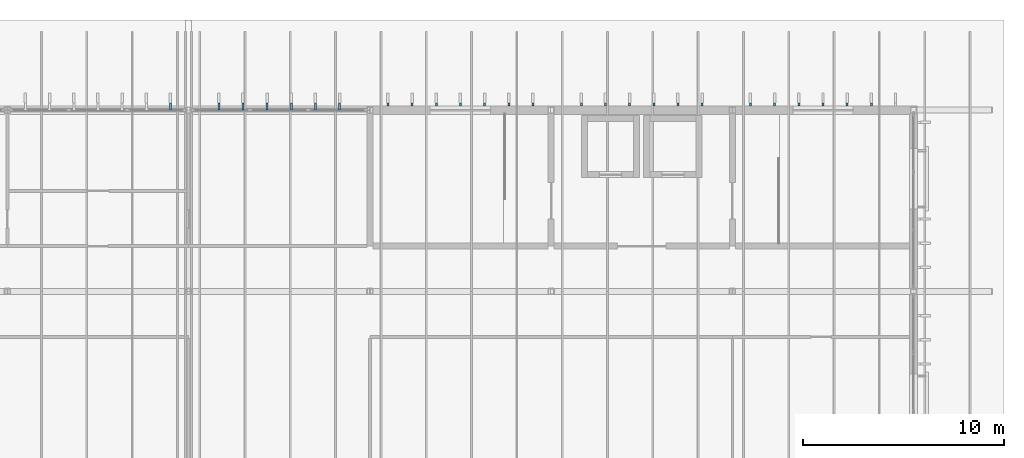
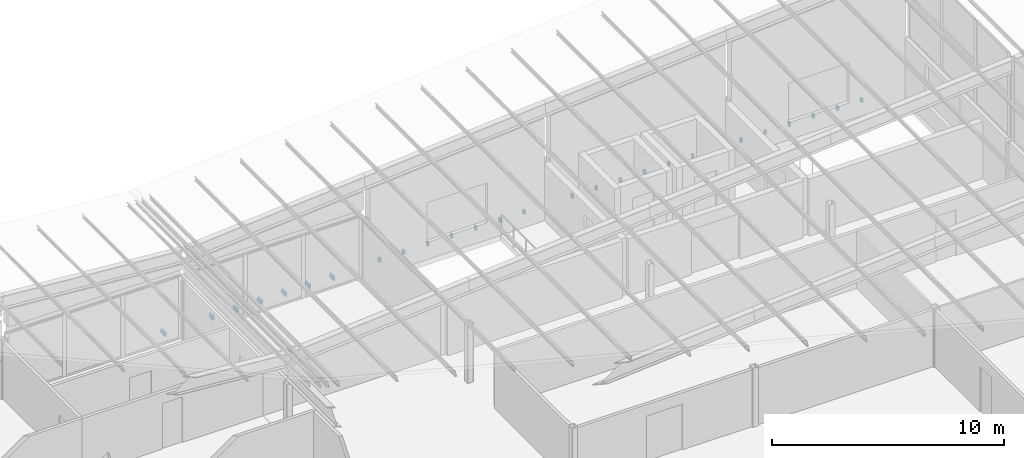
# One storey, part 80 of 85: 26 discrete accessories.
"""IFC4 building model written with IfcOpenShell, lengths in metres."""

from ifc_helpers import new_model, si_unit, direction, frame, origin, origin_2d, place, context, subcontext, project, spatial, rectangle, extrude, material, type_object, element, save


model = new_model("IFC4")

# Units and contexts
model_context = context("Model", 3, precision=1e-05, world=origin(), true_north=direction((0.0, 1.0)))
body_context = subcontext(model_context, "Body", "Model", "MODEL_VIEW")
ifc_project = project(units=[si_unit("LENGTHUNIT", "METRE"), si_unit("AREAUNIT", "SQUARE_METRE"), si_unit("VOLUMEUNIT", "CUBIC_METRE"), si_unit("PLANEANGLEUNIT", "RADIAN"), si_unit("MASSUNIT", "GRAM", prefix="KILO")], contexts=[model_context])

# Site, building, storey
site_placement = place(None, origin())
site = spatial("IfcSite", under=ifc_project, at=site_placement, CompositionType="ELEMENT")
building_placement = place(site_placement, origin())
building = spatial("IfcBuilding", under=site, at=building_placement, Name="Opaline Strait Convention Centre", CompositionType="ELEMENT")
storey_placement = place(building_placement, frame((0.0, 0.0, 17.0)))
storey = spatial("IfcBuildingStorey", under=building, at=storey_placement, Name="L03", CompositionType="ELEMENT", Elevation=17.0)

# Discrete accessories
ifc_material = material(Name="Stainless steel 304", Category="steel")
discrete_accessory_type = type_object("IfcDiscreteAccessoryType", Name="Fin bracket 150 stainless steel", PredefinedType="BRACKET", material=ifc_material)
for number, where, z_axis, x_axis, name in (
    (1, (323.10009765625, 180.181884765625, 0.35009765625), (0.0, 0.0, 1.0), (1.0, 0.0, 0.0), "Fin bracket"),
    (2, (325.5, 180.181884765625, 0.35009765625), (0.0, 0.0, 1.0), (1.0, 0.0, 0.0), "Fin bracket"),
    (3, (326.699951171875, 180.181884765625, 0.35009765625), (0.0, 0.0, 1.0), (1.0, 0.0, 0.0), "Fin bracket"),
    (4, (327.89990234375, 180.181884765625, 0.35009765625), (0.0, 0.0, 1.0), (1.0, 0.0, 0.0), "Fin bracket"),
    (5, (329.10009765625, 180.181884765625, 0.35009765625), (0.0, 0.0, 1.0), (1.0, 0.0, 0.0), "Fin bracket"),
    (6, (330.300048828125, 180.181884765625, 0.35009765625), (0.0, 0.0, 1.0), (1.0, 0.0, 0.0), "Fin bracket"),
    (7, (331.5, 180.181884765625, 0.35009765625), (0.0, 0.0, 1.0), (1.0, 0.0, 0.0), "Fin bracket"),
):
    element("IfcDiscreteAccessory", number, at=place(storey_placement, frame(where, z_axis=z_axis, x_axis=x_axis)), inside=storey, type_object=discrete_accessory_type, Name=name, PredefinedType="BRACKET", context=body_context, shape_type="SweptSolid", body=[
        extrude(rectangle(XDim=0.10009765625, YDim=0.3359375, at=origin_2d()), origin(), (0.0, 0.0, 1.0), 0.199951171875),
    ])
for number, where, z_axis, x_axis, name in (
    (8, (333.89990234375, 180.27490234375, 0.35009765625), (0.0, 0.0, 1.0), (1.0, 0.0, 0.0), "Fin bracket"),
    (9, (335.10009765625, 180.27490234375, 0.35009765625), (0.0, 0.0, 1.0), (1.0, 0.0, 0.0), "Fin bracket"),
    (10, (336.300048828125, 180.27490234375, 0.35009765625), (0.0, 0.0, 1.0), (1.0, 0.0, 0.0), "Fin bracket"),
    (11, (337.5, 180.27490234375, 0.35009765625), (0.0, 0.0, 1.0), (1.0, 0.0, 0.0), "Fin bracket"),
    (12, (338.699951171875, 180.27490234375, 0.35009765625), (0.0, 0.0, 1.0), (1.0, 0.0, 0.0), "Fin bracket"),
    (13, (339.89990234375, 180.27490234375, 0.35009765625), (0.0, 0.0, 1.0), (1.0, 0.0, 0.0), "Fin bracket"),
    (14, (341.10009765625, 180.27490234375, 0.35009765625), (0.0, 0.0, 1.0), (1.0, 0.0, 0.0), "Fin bracket"),
    (15, (343.5, 180.27490234375, 0.35009765625), (0.0, 0.0, 1.0), (1.0, 0.0, 0.0), "Fin bracket"),
    (16, (344.699951171875, 180.27490234375, 0.35009765625), (0.0, 0.0, 1.0), (1.0, 0.0, 0.0), "Fin bracket"),
    (17, (345.89990234375, 180.27490234375, 0.35009765625), (0.0, 0.0, 1.0), (1.0, 0.0, 0.0), "Fin bracket"),
    (18, (347.10009765625, 180.27490234375, 0.35009765625), (0.0, 0.0, 1.0), (1.0, 0.0, 0.0), "Fin bracket"),
    (19, (348.300048828125, 180.27490234375, 0.35009765625), (0.0, 0.0, 1.0), (1.0, 0.0, 0.0), "Fin bracket"),
    (20, (349.5, 180.27490234375, 0.35009765625), (0.0, 0.0, 1.0), (1.0, 0.0, 0.0), "Fin bracket"),
    (21, (351.89990234375, 180.27490234375, 0.35009765625), (0.0, 0.0, 1.0), (1.0, 0.0, 0.0), "Fin bracket"),
    (22, (353.10009765625, 180.27490234375, 0.35009765625), (0.0, 0.0, 1.0), (1.0, 0.0, 0.0), "Fin bracket"),
    (23, (354.300048828125, 180.27490234375, 0.35009765625), (0.0, 0.0, 1.0), (1.0, 0.0, 0.0), "Fin bracket"),
    (24, (355.5, 180.27490234375, 0.35009765625), (0.0, 0.0, 1.0), (1.0, 0.0, 0.0), "Fin bracket"),
    (25, (356.699951171875, 180.27490234375, 0.35009765625), (0.0, 0.0, 1.0), (1.0, 0.0, 0.0), "Fin bracket"),
    (26, (357.89990234375, 180.27490234375, 0.35009765625), (0.0, 0.0, 1.0), (1.0, 0.0, 0.0), "Fin bracket"),
):
    element("IfcDiscreteAccessory", number, at=place(storey_placement, frame(where, z_axis=z_axis, x_axis=x_axis)), inside=storey, type_object=discrete_accessory_type, Name=name, PredefinedType="BRACKET", context=body_context, shape_type="SweptSolid", body=[
        extrude(rectangle(XDim=0.10009765625, YDim=0.14990234375, at=origin_2d()), origin(), (0.0, 0.0, 1.0), 0.199951171875),
    ])

save(model, "model.ifc")
